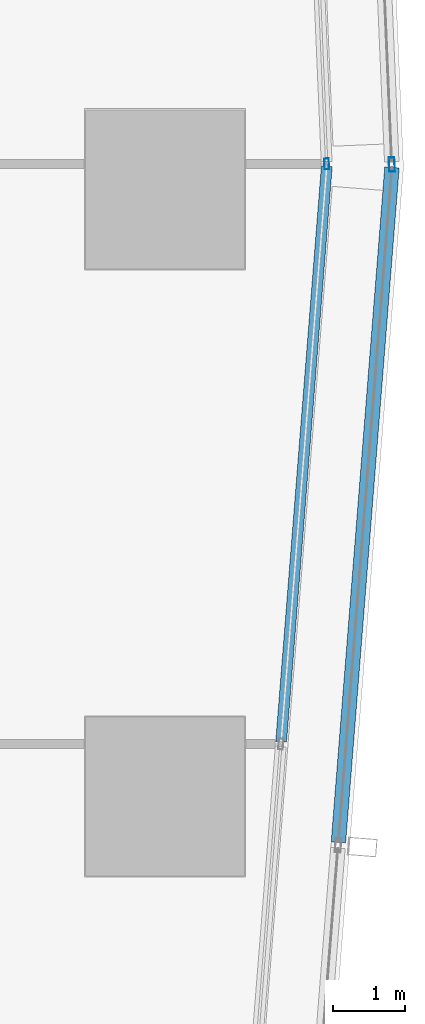
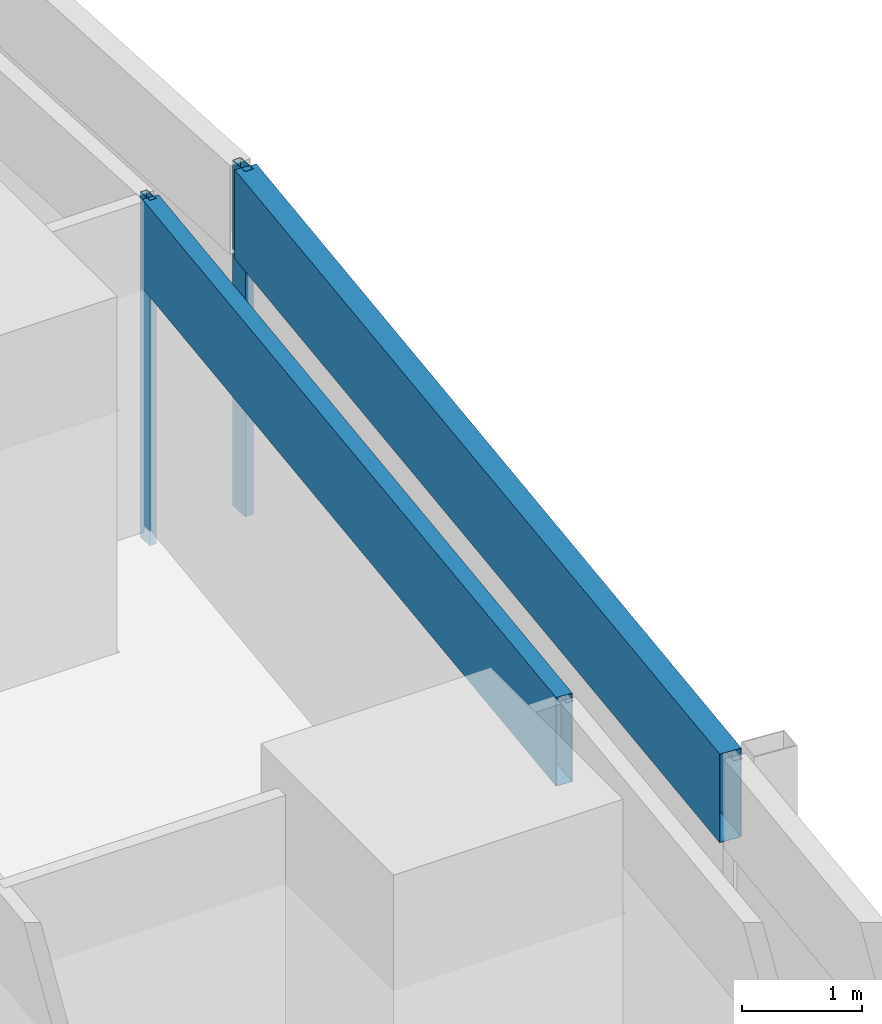
# One storey, part 26 of 44: 4 members, 4 elements without a shape of their own.
"""IFC4 building model written with IfcOpenShell, lengths in metres."""

import ifcopenshell
import ifcopenshell.guid

model = None  # the IFC model being written
_history = None  # IfcOwnerHistory: only IFC2X3 demands one
_inside = {}  # id of a spatial element -> (the spatial element, [elements in it])
_under = {}  # id of a project, library or spatial element -> (it, [spatial elements below it])
_declared = {}  # id of a project -> (the project, [libraries it declares])
_typed = {}  # id of a type object -> (the type object, [elements of that type])
_made_of = {}  # id of a material, layer set ... -> (it, [elements and type objects made of it])


def new_model(schema):
    """Start an empty IFC model of exactly this schema.

    Asked for "IFC4X3", IfcOpenShell would pick the latest addendum, in which some entities
    have other attributes; the version numbers below select the first issue.
    IFC2X3 requires an IfcOwnerHistory on every rooted entity: one is made here for all.
    """
    global model, _history
    if schema == "IFC4X3":
        model = ifcopenshell.file(schema_version=(4, 3, 0, 0))
    else:
        model = ifcopenshell.file(schema=schema)
    _inside.clear()
    _under.clear()
    _declared.clear()
    _typed.clear()
    _made_of.clear()
    _history = None
    if model.schema == "IFC2X3":
        org = make("IfcOrganization", Name="unknown")
        user = make(
            "IfcPersonAndOrganization",
            ThePerson=make("IfcPerson", FamilyName="unknown"),
            TheOrganization=org,
        )
        app = make(
            "IfcApplication",
            ApplicationDeveloper=org,
            Version="unknown",
            ApplicationFullName="unknown",
            ApplicationIdentifier="unknown",
        )
        _history = make(
            "IfcOwnerHistory",
            OwningUser=user,
            OwningApplication=app,
            ChangeAction="ADDED",
            CreationDate=0,
        )
    return model


def make(cls, **values):
    """One entity of the class cls with the attributes given. An attribute that is None is left unset."""
    return model.create_entity(
        cls, **{name: value for name, value in values.items() if value is not None}
    )


def rooted(cls, **values):
    """An entity with a GlobalId (a new one), such as an element, a storey or a relation."""
    return make(cls, GlobalId=ifcopenshell.guid.new(), OwnerHistory=_history, **values)


def si_unit(unit_type, name, prefix=None):
    """IfcSIUnit, for example si_unit("LENGTHUNIT", "METRE", prefix="MILLI")."""
    return make("IfcSIUnit", UnitType=unit_type, Prefix=prefix, Name=name)


def assignment(units):
    """IfcUnitAssignment: the units of a project."""
    return None if units is None else make("IfcUnitAssignment", Units=units)


def point(xyz):
    """IfcCartesianPoint."""
    return None if xyz is None else make("IfcCartesianPoint", Coordinates=xyz)


def direction(xyz):
    """IfcDirection."""
    return None if xyz is None else make("IfcDirection", DirectionRatios=xyz)


def frame(location, z_axis=None, x_axis=None):
    """IfcAxis2Placement3D, a coordinate frame: its origin and axes. An axis left out is left unset."""
    return make(
        "IfcAxis2Placement3D",
        Location=point(location),
        Axis=direction(z_axis),
        RefDirection=direction(x_axis),
    )


def frame_2d(location, x_axis=None):
    """IfcAxis2Placement2D, a coordinate frame in the plane: its origin and x axis."""
    return make(
        "IfcAxis2Placement2D", Location=point(location), RefDirection=direction(x_axis)
    )


def origin():
    """The frame at (0, 0, 0) with its axes left unset."""
    return frame((0.0, 0.0, 0.0))


def origin_2d():
    """The frame at (0, 0) in the plane with its x axis left unset."""
    return frame_2d((0.0, 0.0))


def place(relative_to, where):
    """IfcLocalPlacement: puts the frame where relative to a parent placement (None: the world)."""
    return make(
        "IfcLocalPlacement", PlacementRelTo=relative_to, RelativePlacement=where
    )


def context(
    kind, dimensions, precision=None, world=None, true_north=None, identifier=None
):
    """IfcGeometricRepresentationContext, for example the 3D "Model" context."""
    return make(
        "IfcGeometricRepresentationContext",
        ContextIdentifier=identifier,
        ContextType=kind,
        CoordinateSpaceDimension=dimensions,
        Precision=precision,
        WorldCoordinateSystem=world,
        TrueNorth=true_north,
    )


def subcontext(parent, identifier, kind, view, scale=None):
    """IfcGeometricRepresentationSubContext, for example "Body" below "Model"."""
    return make(
        "IfcGeometricRepresentationSubContext",
        ContextIdentifier=identifier,
        ContextType=kind,
        ParentContext=parent,
        TargetScale=scale,
        TargetView=view,
    )


def project(units=None, contexts=None):
    """IfcProject with its units and contexts."""
    return rooted(
        "IfcProject",
        Name="project",
        RepresentationContexts=contexts,
        UnitsInContext=assignment(units),
    )


def spatial(cls, under=None, at=None, **own):
    """A site, building, storey or space (cls), placed at a placement, below another one or the project."""
    s = rooted(cls, ObjectPlacement=at, **own)
    if under is not None:
        _under.setdefault(under.id(), (under, []))[1].append(s)
    return s


def profile(cls, at=None, kind="AREA", **sizes):
    """A parametric profile (cls). Its sizes go by their IFC names, for example OverallWidth=200.0."""
    return make(cls, ProfileType=kind, Position=at, **sizes)


def hollow_rectangle(**sizes):
    """IfcRectangleHollowProfileDef."""
    return profile("IfcRectangleHollowProfileDef", **sizes)


def extrude(swept, where, along, depth):
    """IfcExtrudedAreaSolid: the profile swept, set in the frame where, extruded along a direction by depth."""
    return make(
        "IfcExtrudedAreaSolid",
        SweptArea=swept,
        Position=where,
        ExtrudedDirection=direction(along),
        Depth=depth,
    )


def shape(context_of_items, identifier, shape_type, items):
    """IfcShapeRepresentation: the items that make up one representation, for example the "Body"."""
    return make(
        "IfcShapeRepresentation",
        ContextOfItems=context_of_items,
        RepresentationIdentifier=identifier,
        RepresentationType=shape_type,
        Items=items,
    )


def material(Name=None, Category=None):
    """IfcMaterial."""
    return make("IfcMaterial", Name=Name, Category=Category)


def material_profile(
    of_material, cross_section, Name=None, Category=None, Priority=None
):
    """IfcMaterialProfile: a cross section and its material."""
    return make(
        "IfcMaterialProfile",
        Name=Name,
        Material=of_material,
        Profile=cross_section,
        Priority=Priority,
        Category=Category,
    )


def profile_set(profiles, Name=None, composite=None):
    """IfcMaterialProfileSet."""
    return make(
        "IfcMaterialProfileSet",
        Name=Name,
        MaterialProfiles=profiles,
        CompositeProfile=composite,
    )


def made_of(thing, what):
    """Note that an element or type object is made of a material, layer set ...; save() writes the relation."""
    if what is not None:
        _made_of.setdefault(what.id(), (what, []))[1].append(thing)
    return thing


def type_object(cls, material=None, **own):
    """A type object (cls), such as IfcWallType, which elements share."""
    return made_of(rooted(cls, **own), material)


def element(
    cls,
    number,
    at=None,
    inside=None,
    cuts=None,
    type_object=None,
    material=None,
    context=None,
    identifier="Body",
    shape_type=None,
    held_by="IfcProductDefinitionShape",
    body=None,
    shapes=None,
    **own,
):
    """One element of the class cls, such as IfcWall. Its Tag is "e" and its number.

    at: its placement. inside: the storey or other place that contains it. cuts: it is an
    opening in that element (IfcRelVoidsElement). A single representation is given by context,
    identifier, shape_type and body (its items); several are given by shapes. held_by: the class
    of the entity that holds the representations. save() writes the other relations.
    """
    e = rooted(cls, Tag="e%d" % number, ObjectPlacement=at, **own)
    if body is not None:
        shapes = [shape(context, identifier, shape_type, body)]
    if shapes is not None:
        e.Representation = make(held_by, Representations=shapes)
    if inside is not None:
        _inside.setdefault(inside.id(), (inside, []))[1].append(e)
    if cuts is not None:
        rooted(
            "IfcRelVoidsElement", RelatingBuildingElement=cuts, RelatedOpeningElement=e
        )
    if type_object is not None:
        _typed.setdefault(type_object.id(), (type_object, []))[1].append(e)
    return made_of(e, material)


def aggregate(whole, parts):
    """IfcRelAggregates: a whole, such as a stair, and the parts it consists of."""
    return rooted("IfcRelAggregates", RelatingObject=whole, RelatedObjects=parts)


def save(model, path):
    """Write the relations noted so far, then the file.

    IfcRelAggregates (storeys below a building ...), IfcRelContainedInSpatialStructure (elements
    in a storey), IfcRelDefinesByType, IfcRelAssociatesMaterial and IfcRelDeclares: one each for
    every whole, place, type object, material and project.
    """
    for whole, parts in _under.values():
        aggregate(whole, parts)
    for where, things in _inside.values():
        rooted(
            "IfcRelContainedInSpatialStructure",
            RelatedElements=things,
            RelatingStructure=where,
        )
    for kind, things in _typed.values():
        rooted("IfcRelDefinesByType", RelatedObjects=things, RelatingType=kind)
    for what, things in _made_of.values():
        rooted("IfcRelAssociatesMaterial", RelatedObjects=things, RelatingMaterial=what)
    for by, libraries in _declared.values():
        rooted("IfcRelDeclares", RelatingContext=by, RelatedDefinitions=libraries)
    model.write(path)


model = new_model("IFC4")

# Units and contexts
model_context = context("Model", 3, precision=1e-05, world=origin(), true_north=direction((0.0, 1.0)))
body_context = subcontext(model_context, "Body", "Model", "MODEL_VIEW")
ifc_project = project(units=[si_unit("LENGTHUNIT", "METRE"), si_unit("AREAUNIT", "SQUARE_METRE"), si_unit("VOLUMEUNIT", "CUBIC_METRE"), si_unit("PLANEANGLEUNIT", "RADIAN"), si_unit("MASSUNIT", "GRAM", prefix="KILO")], contexts=[model_context])

# Site, building, storey
site_placement = place(None, origin())
site = spatial("IfcSite", under=ifc_project, at=site_placement, CompositionType="ELEMENT")
building_placement = place(site_placement, origin())
building = spatial("IfcBuilding", under=site, at=building_placement, Name="Rekha Terrace Tower", CompositionType="ELEMENT")
storey_placement = place(building_placement, frame((0.0, 0.0, 74.14990234375)))
storey = spatial("IfcBuildingStorey", under=building, at=storey_placement, Name="L18", CompositionType="ELEMENT", Elevation=74.14990234375)

# Curtain wall, member
ifc_material_1 = material(Name="Aluminium framing", Category="aluminium")
curtain_wall_type_1 = type_object("IfcCurtainWallType", Name="CW1 double skin inner glazing", PredefinedType="USERDEFINED", material=ifc_material_1)
curtain_wall_1_placement = place(storey_placement, origin())
curtain_wall_1 = element("IfcCurtainWall", 1, at=curtain_wall_1_placement, inside=storey, type_object=curtain_wall_type_1, Name="CW1 double skin inner glazing", ObjectType="DOUBLE SKIN INNER GLAZING", PredefinedType="USERDEFINED")
ifc_material_2 = material(Name="Aluminium mullion section", Category="aluminium")
ifc_material_profile_1 = material_profile(ifc_material_2, hollow_rectangle(XDim=0.06494140625, YDim=0.14990234375, WallThickness=0.00390625, at=origin_2d()), Name="AL RHS 65x150")
ifc_profile_set_1 = profile_set([ifc_material_profile_1], Name="Aluminium mullion section")
member_type_1 = type_object("IfcMemberType", Name="CW1 mullion RHS 65 x 150", PredefinedType="MULLION", material=ifc_profile_set_1)
member_1_placement = place(storey_placement, frame((69.436767578125, 25.5517578125, 0.0), z_axis=(0.0, 0.0, 1.0), x_axis=(-0.999088106904, -0.042696072921, 0.0)))
member_1 = element("IfcMember", 2, at=member_1_placement, type_object=member_type_1, Name="CW1 mullion 1", PredefinedType="MULLION", context=body_context, shape_type="SweptSolid", body=[
    extrude(hollow_rectangle(XDim=0.06494140625, YDim=0.14990234375, WallThickness=0.00390625, at=origin_2d()), origin(), (0.0, 0.0, 1.0), 3.5),
])
aggregate(curtain_wall_1, [member_1])

curtain_wall_2_placement = place(storey_placement, origin())
curtain_wall_2 = element("IfcCurtainWall", 3, at=curtain_wall_2_placement, inside=storey, type_object=curtain_wall_type_1, Name="CW1 double skin inner glazing", ObjectType="DOUBLE SKIN INNER GLAZING", PredefinedType="USERDEFINED")
ifc_material_3 = material(Name="Insulated aluminium spandrel box", Category="aluminium")
ifc_material_profile_2 = material_profile(ifc_material_3, hollow_rectangle(XDim=0.14990234375, YDim=0.89990234375, WallThickness=0.0029296875, at=origin_2d()), Name="AL SPANDREL BOX 150x900")
ifc_profile_set_2 = profile_set([ifc_material_profile_2], Name="Insulated aluminium spandrel box")
member_type_2 = type_object("IfcMemberType", Name="CW1 spandrel transom 150 x 900", PredefinedType="USERDEFINED", material=ifc_profile_set_2)
member_2_placement = place(storey_placement, frame((68.80615234375, 17.555908203125, 3.050048828125), z_axis=(0.07912449621, 0.996864742129, 0.0), x_axis=(-0.996864742129, 0.07912449621, 0.0)))
member_2 = element("IfcMember", 4, at=member_2_placement, type_object=member_type_2, Name="CW1 spandrel transom 2", ObjectType="TRANSOM", PredefinedType="USERDEFINED", context=body_context, shape_type="SweptSolid", body=[
    extrude(hollow_rectangle(XDim=0.14990234375, YDim=0.89990234375, WallThickness=0.0029296875, at=origin_2d()), origin(), (0.0, 0.0, 1.0), 7.988525390625),
])
aggregate(curtain_wall_2, [member_2])

curtain_wall_type_2 = type_object("IfcCurtainWallType", Name="CW2 double skin outer glazing", PredefinedType="USERDEFINED", material=ifc_material_1)
curtain_wall_3_placement = place(storey_placement, origin())
curtain_wall_3 = element("IfcCurtainWall", 5, at=curtain_wall_3_placement, inside=storey, type_object=curtain_wall_type_2, Name="CW2 double skin outer glazing", ObjectType="DOUBLE SKIN OUTER GLAZING", PredefinedType="USERDEFINED")
ifc_material_profile_3 = material_profile(ifc_material_2, hollow_rectangle(XDim=0.080078125, YDim=0.199951171875, WallThickness=0.00390625, at=origin_2d()), Name="AL RHS 80x200")
ifc_profile_set_3 = profile_set([ifc_material_profile_3], Name="Aluminium mullion section")
member_type_3 = type_object("IfcMemberType", Name="CW2 mullion RHS 80 x 200", PredefinedType="MULLION", material=ifc_profile_set_3)
member_3_placement = place(storey_placement, frame((70.338134765625, 25.54296875, 0.0), z_axis=(0.0, 0.0, 1.0), x_axis=(-0.999088106903, -0.042696072956, 0.0)))
member_3 = element("IfcMember", 6, at=member_3_placement, type_object=member_type_3, Name="CW2 mullion 1", PredefinedType="MULLION", context=body_context, shape_type="SweptSolid", body=[
    extrude(hollow_rectangle(XDim=0.080078125, YDim=0.199951171875, WallThickness=0.00390625, at=origin_2d()), origin(), (0.0, 0.0, 1.0), 3.5),
])
aggregate(curtain_wall_3, [member_3])

curtain_wall_4_placement = place(storey_placement, origin())
curtain_wall_4 = element("IfcCurtainWall", 7, at=curtain_wall_4_placement, inside=storey, type_object=curtain_wall_type_2, Name="CW2 double skin outer glazing", ObjectType="DOUBLE SKIN OUTER GLAZING", PredefinedType="USERDEFINED")
ifc_material_profile_4 = material_profile(ifc_material_3, hollow_rectangle(XDim=0.199951171875, YDim=0.89990234375, WallThickness=0.0029296875, at=origin_2d()), Name="AL SPANDREL BOX 200x900")
ifc_profile_set_4 = profile_set([ifc_material_profile_4], Name="Insulated aluminium spandrel box")
member_type_4 = type_object("IfcMemberType", Name="CW2 spandrel transom 200 x 900", PredefinedType="USERDEFINED", material=ifc_profile_set_4)
member_4_placement = place(storey_placement, frame((69.5986328125, 16.16552734375, 3.050048828125), z_axis=(0.079131924046, 0.996864152529, 0.0), x_axis=(-0.996864152529, 0.079131924046, 0.0)))
member_4 = element("IfcMember", 8, at=member_4_placement, type_object=member_type_4, Name="CW2 spandrel transom 2", ObjectType="TRANSOM", PredefinedType="USERDEFINED", context=body_context, shape_type="SweptSolid", body=[
    extrude(hollow_rectangle(XDim=0.199951171875, YDim=0.89990234375, WallThickness=0.0029296875, at=origin_2d()), origin(), (0.0, 0.0, 1.0), 9.36669921875),
])
aggregate(curtain_wall_4, [member_4])

save(model, "model.ifc")
